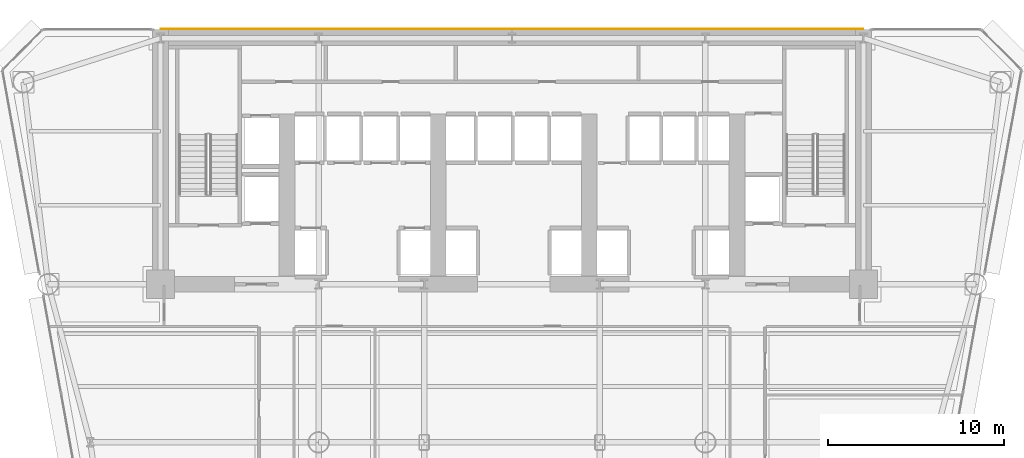
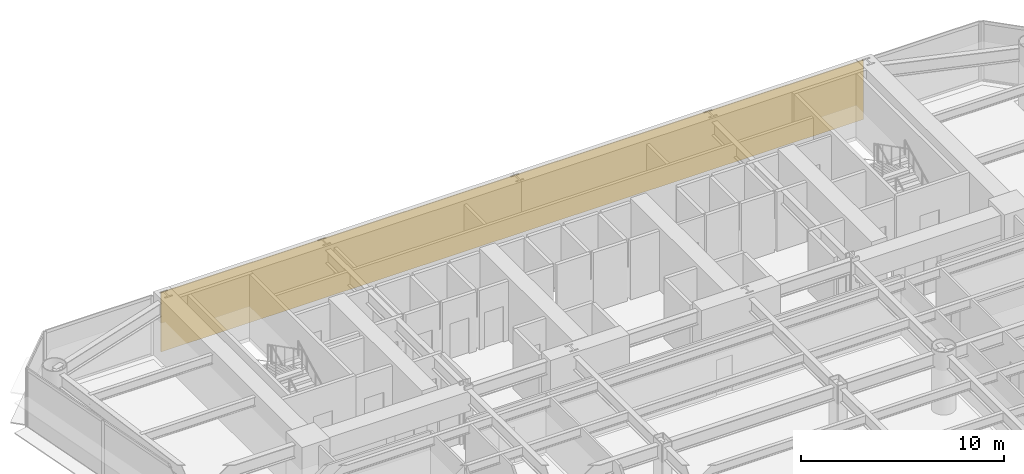
# One storey, part 13 of 14: 1 covering.
"""IFC4 building model written with IfcOpenShell, lengths in metres."""

from ifc_helpers import new_model, si_unit, direction, frame, origin, place, context, subcontext, project, spatial, polyline, outline, extrude, material, layer, layer_set, type_object, element, save


model = new_model("IFC4")

# Units and contexts
model_context = context("Model", 3, precision=1e-05, world=origin(), true_north=direction((0.0, 1.0)))
body_context = subcontext(model_context, "Body", "Model", "MODEL_VIEW")
ifc_project = project(units=[si_unit("LENGTHUNIT", "METRE"), si_unit("AREAUNIT", "SQUARE_METRE"), si_unit("VOLUMEUNIT", "CUBIC_METRE"), si_unit("PLANEANGLEUNIT", "RADIAN"), si_unit("MASSUNIT", "GRAM", prefix="KILO")], contexts=[model_context])

# Site, building, storey
site_placement = place(None, origin())
site = spatial("IfcSite", under=ifc_project, at=site_placement, CompositionType="ELEMENT")
building_placement = place(site_placement, origin())
building = spatial("IfcBuilding", under=site, at=building_placement, Name="Vaeldorn Concourse Tower", CompositionType="ELEMENT")
storey_placement = place(building_placement, frame((0.0, 0.0, 22.60009765625)))
storey = spatial("IfcBuildingStorey", under=building, at=storey_placement, Name="L05", CompositionType="ELEMENT", Elevation=22.60009765625)

# Covering
ifc_material = material(Name="Anodised Bronze Aluminium", Category="aluminium")
ifc_layer = layer(ifc_material, 0.050048828125)
ifc_layer_set = layer_set([ifc_layer], Name="Anodised Bronze Aluminium")
covering_type = type_object("IfcCoveringType", Name="COV-CLAD-BRONZE", PredefinedType="CLADDING", material=ifc_layer_set)
covering_placement = place(storey_placement, origin())
element("IfcCovering", 1, at=covering_placement, inside=storey, type_object=covering_type, Name="Rear Core Bronze Spandrel Cladding L05", PredefinedType="CLADDING", context=body_context, shape_type="SweptSolid", body=[
    extrude(outline(polyline([(14.0, 51.0), (54.0, 51.0), (54.0, 51.050048828125), (14.0, 51.050048828125), (14.0, 51.0)])), origin(), (0.0, 0.0, 1.0), 3.579833984375),
])

save(model, "model.ifc")
